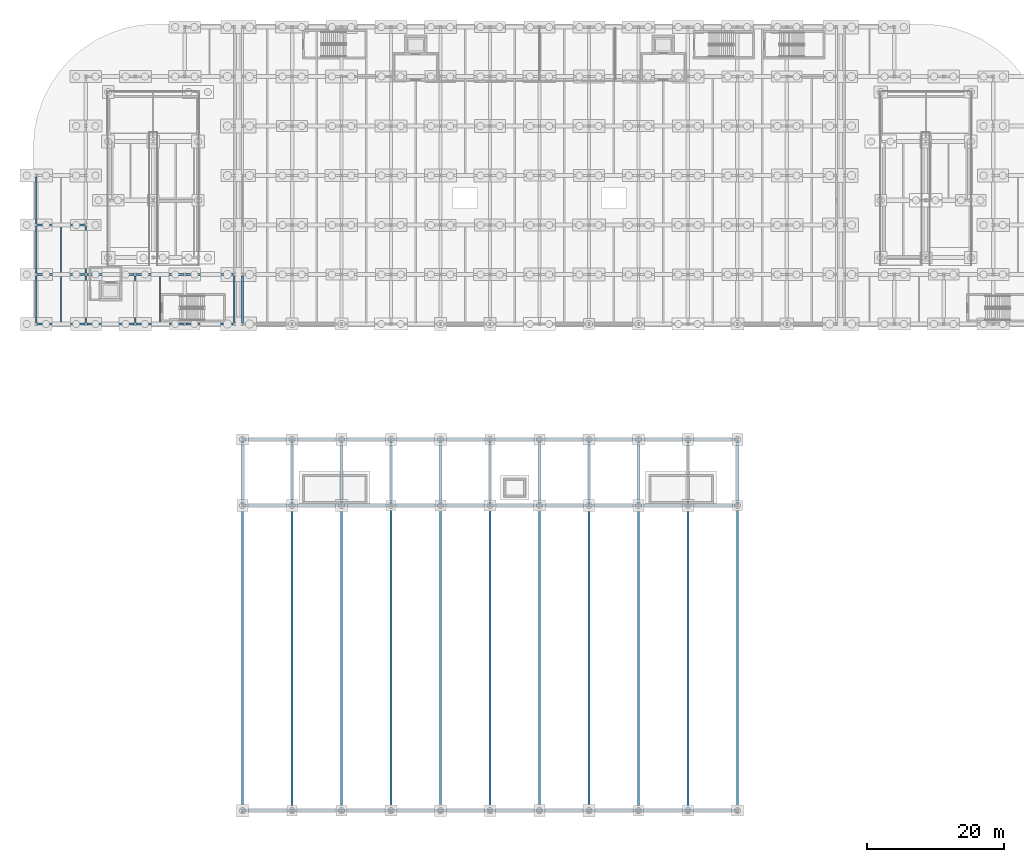
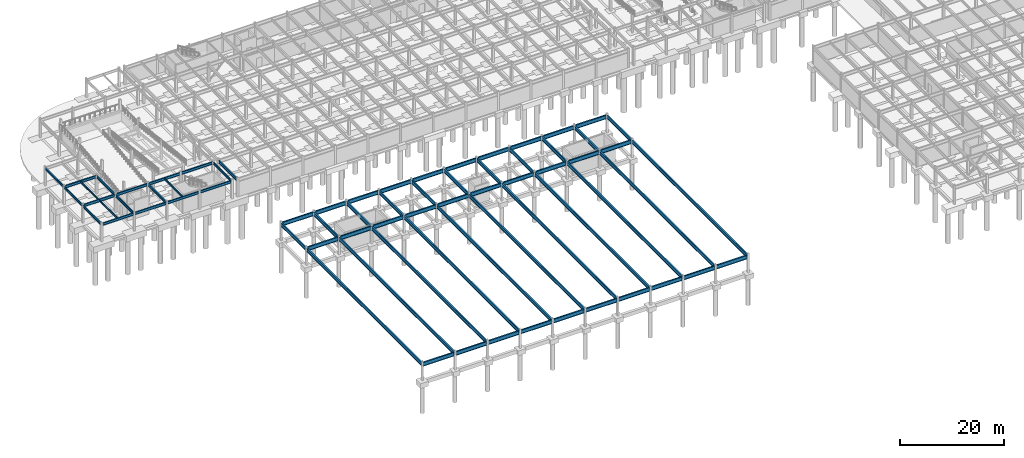
# One storey, part 28 of 54: 72 beams.
"""IFC4 building model written with IfcOpenShell, lengths in metres."""

from ifc_helpers import new_model, si_unit, direction, frame, origin, origin_2d, place, context, subcontext, project, spatial, i_section, extrude, material, material_profile, profile_set, type_object, element, save


model = new_model("IFC4")

# Units and contexts
model_context = context("Model", 3, precision=1e-05, world=origin(), true_north=direction((0.0, 1.0)))
body_context = subcontext(model_context, "Body", "Model", "MODEL_VIEW")
ifc_project = project(units=[si_unit("LENGTHUNIT", "METRE"), si_unit("AREAUNIT", "SQUARE_METRE"), si_unit("VOLUMEUNIT", "CUBIC_METRE"), si_unit("PLANEANGLEUNIT", "RADIAN"), si_unit("MASSUNIT", "GRAM", prefix="KILO")], contexts=[model_context])

# Site, building, storey
site_placement = place(None, origin())
site = spatial("IfcSite", under=ifc_project, at=site_placement, CompositionType="ELEMENT")
building_placement = place(site_placement, origin())
building = spatial("IfcBuilding", under=site, at=building_placement, Name="Vaelcorin Mobility Hub", CompositionType="ELEMENT")
storey_placement = place(building_placement, frame((0.0, 0.0, -4.5)))
storey = spatial("IfcBuildingStorey", under=building, at=storey_placement, Name="B1", CompositionType="ELEMENT", Elevation=-4.5)

# Beams
ifc_material = material(Name="Steel ASTM A992 Grade 50", Category="steel")
ifc_material_profile_1 = material_profile(ifc_material, i_section(OverallWidth=0.152099609375, OverallDepth=0.455078125, WebThickness=0.008056640625, FlangeThickness=0.01318359375, FilletRadius=0.012939453125, at=origin_2d()), Name="W18X40")
ifc_profile_set_1 = profile_set([ifc_material_profile_1], Name="Steel ASTM A992 Grade 50")
beam_type_1 = type_object("IfcBeamType", Name="BM-W18X40", PredefinedType="JOIST", material=ifc_profile_set_1)
for number, where, z_axis, x_axis, name in (
    (1, (9.60009765625, 76.912109375, 4.02197265625), (0.0, 1.0, 0.0), (-1.0, 0.0, 0.0), "B1 Beam V2W-B1-J-01-01-1"),
    (2, (9.60009765625, 84.112060546875, 4.02197265625), (0.0, 1.0, 0.0), (-1.0, 0.0, 0.0), "B1 Beam V2W-B1-J-01-02-1"),
    (3, (24.0, 76.912109375, 4.02197265625), (0.0, 1.0, 0.0), (-1.0, 0.0, 0.0), "B1 Beam V2W-B1-J-03-01-1"),
):
    element("IfcBeam", number, at=place(storey_placement, frame(where, z_axis=z_axis, x_axis=x_axis)), inside=storey, type_object=beam_type_1, Name=name, PredefinedType="JOIST", context=body_context, shape_type="SweptSolid", body=[
        extrude(i_section(OverallWidth=0.152099609375, OverallDepth=0.455078125, WebThickness=0.008056640625, FlangeThickness=0.01318359375, FilletRadius=0.012939453125, at=origin_2d()), origin(), (0.0, 0.0, 1.0), 6.975830078125),
    ])
ifc_material_profile_2 = material_profile(ifc_material, i_section(OverallWidth=0.2099609375, OverallDepth=0.535888671875, WebThickness=0.010986328125, FlangeThickness=0.017333984375, FilletRadius=0.013916015625, at=origin_2d()), Name="W21X68")
ifc_profile_set_2 = profile_set([ifc_material_profile_2], Name="Steel ASTM A992 Grade 50")
beam_type_2 = type_object("IfcBeamType", Name="BM-W21X68", PredefinedType="SPANDREL", material=ifc_profile_set_2)
for number, where, z_axis, x_axis, name in (
    (4, (6.0, 76.9951171875, 3.98193359375), (0.0, 1.0, 0.0), (-1.0, 0.0, 0.0), "B1 Beam V2W-B1-GY-01-01"),
    (5, (6.0, 84.195068359375, 3.98193359375), (0.0, 1.0, 0.0), (-1.0, 0.0, 0.0), "B1 Beam V2W-B1-GY-01-02"),
):
    element("IfcBeam", number, at=place(storey_placement, frame(where, z_axis=z_axis, x_axis=x_axis)), inside=storey, type_object=beam_type_2, Name=name, PredefinedType="SPANDREL", context=body_context, shape_type="SweptSolid", body=[
        extrude(i_section(OverallWidth=0.2099609375, OverallDepth=0.535888671875, WebThickness=0.010986328125, FlangeThickness=0.017333984375, FilletRadius=0.013916015625, at=origin_2d()), origin(), (0.0, 0.0, 1.0), 6.809814453125),
    ])
beam_1_placement = place(storey_placement, frame((6.0, 91.39501953125, 3.98193359375), z_axis=(0.0, 1.0, 0.0), x_axis=(-1.0, 0.0, 0.0)))
element("IfcBeam", 6, at=beam_1_placement, inside=storey, type_object=beam_type_2, Name="B1 Beam V2W-B1-GY-01-03", PredefinedType="SPANDREL", context=body_context, shape_type="SweptSolid", body=[
    extrude(i_section(OverallWidth=0.2099609375, OverallDepth=0.535888671875, WebThickness=0.010986328125, FlangeThickness=0.017333984375, FilletRadius=0.013916015625, at=origin_2d()), origin(), (0.0, 0.0, 1.0), 6.81005859375),
])
beam_2_placement = place(storey_placement, frame((34.800048828125, 76.9951171875, 3.98193359375), z_axis=(0.0, 1.0, 0.0), x_axis=(-1.0, 0.0, 0.0)))
element("IfcBeam", 7, at=beam_2_placement, inside=storey, type_object=beam_type_2, Name="B1 Beam V2W-B1-GY-05-01", PredefinedType="SPANDREL", context=body_context, shape_type="SweptSolid", body=[
    extrude(i_section(OverallWidth=0.2099609375, OverallDepth=0.535888671875, WebThickness=0.010986328125, FlangeThickness=0.017333984375, FilletRadius=0.013916015625, at=origin_2d()), origin(), (0.0, 0.0, 1.0), 6.809814453125),
])
ifc_material_profile_3 = material_profile(ifc_material, i_section(OverallWidth=0.22802734375, OverallDepth=0.60205078125, WebThickness=0.010498046875, FlangeThickness=0.014892578125, FilletRadius=0.014892578125, at=origin_2d()), Name="W24X68")
ifc_profile_set_3 = profile_set([ifc_material_profile_3], Name="Steel ASTM A992 Grade 50")
beam_type_3 = type_object("IfcBeamType", Name="BM-W24X68", PredefinedType="SPANDREL", material=ifc_profile_set_3)
beam_3_placement = place(storey_placement, frame((6.197998046875, 76.800048828125, 3.948974609375), z_axis=(1.0, 0.0, 0.0), x_axis=(0.0, 1.0, 0.0)))
element("IfcBeam", 8, at=beam_3_placement, inside=storey, type_object=beam_type_3, Name="B1 Beam V2W-B1-GX-01-01", PredefinedType="SPANDREL", context=body_context, shape_type="SweptSolid", body=[
    extrude(i_section(OverallWidth=0.22802734375, OverallDepth=0.60205078125, WebThickness=0.010498046875, FlangeThickness=0.014892578125, FilletRadius=0.014892578125, at=origin_2d()), origin(), (0.0, 0.0, 1.0), 6.803955078125),
])
beam_4_placement = place(storey_placement, frame((13.39697265625, 76.800048828125, 3.948974609375), z_axis=(1.0, 0.0, 0.0), x_axis=(0.0, 1.0, 0.0)))
element("IfcBeam", 9, at=beam_4_placement, inside=storey, type_object=beam_type_3, Name="B1 Beam V2W-B1-GX-01-02", PredefinedType="SPANDREL", context=body_context, shape_type="SweptSolid", body=[
    extrude(i_section(OverallWidth=0.22802734375, OverallDepth=0.60205078125, WebThickness=0.010498046875, FlangeThickness=0.014892578125, FilletRadius=0.014892578125, at=origin_2d()), origin(), (0.0, 0.0, 1.0), 6.804931640625),
])
beam_5_placement = place(storey_placement, frame((20.597900390625, 76.800048828125, 3.948974609375), z_axis=(1.0, 0.0, 0.0), x_axis=(0.0, 1.0, 0.0)))
element("IfcBeam", 10, at=beam_5_placement, inside=storey, type_object=beam_type_3, Name="B1 Beam V2W-B1-GX-01-03", PredefinedType="SPANDREL", context=body_context, shape_type="SweptSolid", body=[
    extrude(i_section(OverallWidth=0.22802734375, OverallDepth=0.60205078125, WebThickness=0.010498046875, FlangeThickness=0.014892578125, FilletRadius=0.014892578125, at=origin_2d()), origin(), (0.0, 0.0, 1.0), 6.80419921875),
])
beam_6_placement = place(storey_placement, frame((27.798095703125, 76.800048828125, 3.948974609375), z_axis=(1.0, 0.0, 0.0), x_axis=(0.0, 1.0, 0.0)))
element("IfcBeam", 11, at=beam_6_placement, inside=storey, type_object=beam_type_3, Name="B1 Beam V2W-B1-GX-01-04", PredefinedType="SPANDREL", context=body_context, shape_type="SweptSolid", body=[
    extrude(i_section(OverallWidth=0.22802734375, OverallDepth=0.60205078125, WebThickness=0.010498046875, FlangeThickness=0.014892578125, FilletRadius=0.014892578125, at=origin_2d()), origin(), (0.0, 0.0, 1.0), 6.803955078125),
])
ifc_material_profile_4 = material_profile(ifc_material, i_section(OverallWidth=0.22900390625, OverallDepth=0.612060546875, WebThickness=0.011962890625, FlangeThickness=0.01953125, FilletRadius=0.014892578125, at=origin_2d()), Name="W24X84")
ifc_profile_set_4 = profile_set([ifc_material_profile_4], Name="Steel ASTM A992 Grade 50")
beam_type_4 = type_object("IfcBeamType", Name="BM-W24X84", PredefinedType="BEAM", material=ifc_profile_set_4)
beam_7_placement = place(storey_placement, frame((6.197998046875, 84.0, 3.944091796875), z_axis=(1.0, 0.0, 0.0), x_axis=(0.0, 1.0, 0.0)))
element("IfcBeam", 12, at=beam_7_placement, inside=storey, type_object=beam_type_4, Name="B1 Beam V2W-B1-GX-02-01", PredefinedType="BEAM", context=body_context, shape_type="SweptSolid", body=[
    extrude(i_section(OverallWidth=0.22900390625, OverallDepth=0.612060546875, WebThickness=0.011962890625, FlangeThickness=0.01953125, FilletRadius=0.014892578125, at=origin_2d()), origin(), (0.0, 0.0, 1.0), 6.803955078125),
])
beam_8_placement = place(storey_placement, frame((13.39697265625, 84.0, 3.944091796875), z_axis=(1.0, 0.0, 0.0), x_axis=(0.0, 1.0, 0.0)))
element("IfcBeam", 13, at=beam_8_placement, inside=storey, type_object=beam_type_4, Name="B1 Beam V2W-B1-GX-02-02", PredefinedType="BEAM", context=body_context, shape_type="SweptSolid", body=[
    extrude(i_section(OverallWidth=0.22900390625, OverallDepth=0.612060546875, WebThickness=0.011962890625, FlangeThickness=0.01953125, FilletRadius=0.014892578125, at=origin_2d()), origin(), (0.0, 0.0, 1.0), 6.804931640625),
])
beam_9_placement = place(storey_placement, frame((20.597900390625, 84.0, 3.944091796875), z_axis=(1.0, 0.0, 0.0), x_axis=(0.0, 1.0, 0.0)))
element("IfcBeam", 14, at=beam_9_placement, inside=storey, type_object=beam_type_4, Name="B1 Beam V2W-B1-GX-02-03", PredefinedType="BEAM", context=body_context, shape_type="SweptSolid", body=[
    extrude(i_section(OverallWidth=0.22900390625, OverallDepth=0.612060546875, WebThickness=0.011962890625, FlangeThickness=0.01953125, FilletRadius=0.014892578125, at=origin_2d()), origin(), (0.0, 0.0, 1.0), 6.80419921875),
])
for number, where, z_axis, x_axis, name in (
    (15, (27.798095703125, 84.0, 3.944091796875), (1.0, 0.0, 0.0), (0.0, 1.0, 0.0), "B1 Beam V2W-B1-GX-02-04"),
    (16, (6.197998046875, 91.199951171875, 3.944091796875), (1.0, 0.0, 0.0), (0.0, 1.0, 0.0), "B1 Beam V2W-B1-GX-03-01"),
):
    element("IfcBeam", number, at=place(storey_placement, frame(where, z_axis=z_axis, x_axis=x_axis)), inside=storey, type_object=beam_type_4, Name=name, PredefinedType="BEAM", context=body_context, shape_type="SweptSolid", body=[
        extrude(i_section(OverallWidth=0.22900390625, OverallDepth=0.612060546875, WebThickness=0.011962890625, FlangeThickness=0.01953125, FilletRadius=0.014892578125, at=origin_2d()), origin(), (0.0, 0.0, 1.0), 6.803955078125),
    ])
for number, where, z_axis, x_axis, name in (
    (17, (13.199951171875, 76.9951171875, 3.944091796875), (0.0, 1.0, 0.0), (-1.0, 0.0, 0.0), "B1 Beam V2W-B1-GY-02-01"),
    (18, (13.199951171875, 84.195068359375, 3.944091796875), (0.0, 1.0, 0.0), (-1.0, 0.0, 0.0), "B1 Beam V2W-B1-GY-02-02"),
    (19, (20.39990234375, 76.9951171875, 3.944091796875), (0.0, 1.0, 0.0), (-1.0, 0.0, 0.0), "B1 Beam V2W-B1-GY-03-01"),
):
    element("IfcBeam", number, at=place(storey_placement, frame(where, z_axis=z_axis, x_axis=x_axis)), inside=storey, type_object=beam_type_4, Name=name, PredefinedType="BEAM", context=body_context, shape_type="SweptSolid", body=[
        extrude(i_section(OverallWidth=0.22900390625, OverallDepth=0.612060546875, WebThickness=0.011962890625, FlangeThickness=0.01953125, FilletRadius=0.014892578125, at=origin_2d()), origin(), (0.0, 0.0, 1.0), 6.809814453125),
    ])
ifc_material_profile_5 = material_profile(ifc_material, i_section(OverallWidth=0.25390625, OverallDepth=0.68310546875, WebThickness=0.012451171875, FlangeThickness=0.018798828125, FilletRadius=0.01611328125, at=origin_2d()), Name="W27X94")
ifc_profile_set_5 = profile_set([ifc_material_profile_5], Name="Steel ASTM A992 Grade 50")
beam_type_5 = type_object("IfcBeamType", Name="BM-W27X94", PredefinedType="BEAM", material=ifc_profile_set_5)
beam_10_placement = place(storey_placement, frame((36.0, 77.0009765625, 3.8779296875), z_axis=(0.0, 1.0, 0.0), x_axis=(-1.0, 0.0, 0.0)))
element("IfcBeam", 20, at=beam_10_placement, inside=storey, type_object=beam_type_5, Name="B1 Beam V4-B1-GY-01-01", PredefinedType="BEAM", context=body_context, shape_type="SweptSolid", body=[
    extrude(i_section(OverallWidth=0.25390625, OverallDepth=0.68310546875, WebThickness=0.012451171875, FlangeThickness=0.018798828125, FilletRadius=0.01611328125, at=origin_2d()), origin(), (0.0, 0.0, 1.0), 6.7890625),
])
ifc_material_profile_6 = material_profile(ifc_material, i_section(OverallWidth=0.2919921875, OverallDepth=0.841064453125, WebThickness=0.0146484375, FlangeThickness=0.021728515625, FilletRadius=0.01806640625, at=origin_2d()), Name="W33X130")
ifc_profile_set_6 = profile_set([ifc_material_profile_6], Name="Steel ASTM A992 Grade 50")
beam_type_6 = type_object("IfcBeamType", Name="BM-W33X130", PredefinedType="BEAM", material=ifc_profile_set_6)
beam_11_placement = place(storey_placement, frame((36.0, 6.2099609375, 3.72998046875), z_axis=(0.0, 1.0, 0.0), x_axis=(-1.0, 0.0, 0.0)))
element("IfcBeam", 21, at=beam_11_placement, inside=storey, type_object=beam_type_6, Name="B1 Beam V1G-B1-GY-01-01", PredefinedType="BEAM", context=body_context, shape_type="SweptSolid", body=[
    extrude(i_section(OverallWidth=0.2919921875, OverallDepth=0.841064453125, WebThickness=0.0146484375, FlangeThickness=0.021728515625, FilletRadius=0.01806640625, at=origin_2d()), origin(), (0.0, 0.0, 1.0), 43.97998046875),
])
beam_12_placement = place(storey_placement, frame((36.0, 50.610107421875, 3.72998046875), z_axis=(0.0, 1.0, 0.0), x_axis=(-1.0, 0.0, 0.0)))
element("IfcBeam", 22, at=beam_12_placement, inside=storey, type_object=beam_type_6, Name="B1 Beam V1G-B1-GY-01-02", PredefinedType="BEAM", context=body_context, shape_type="SweptSolid", body=[
    extrude(i_section(OverallWidth=0.2919921875, OverallDepth=0.841064453125, WebThickness=0.0146484375, FlangeThickness=0.021728515625, FilletRadius=0.01806640625, at=origin_2d()), origin(), (0.0, 0.0, 1.0), 9.179931640625),
])
beam_13_placement = place(storey_placement, frame((43.199951171875, 6.2099609375, 3.72998046875), z_axis=(0.0, 1.0, 0.0), x_axis=(-1.0, 0.0, 0.0)))
element("IfcBeam", 23, at=beam_13_placement, inside=storey, type_object=beam_type_6, Name="B1 Beam V1G-B1-GY-02-01", PredefinedType="BEAM", context=body_context, shape_type="SweptSolid", body=[
    extrude(i_section(OverallWidth=0.2919921875, OverallDepth=0.841064453125, WebThickness=0.0146484375, FlangeThickness=0.021728515625, FilletRadius=0.01806640625, at=origin_2d()), origin(), (0.0, 0.0, 1.0), 43.97998046875),
])
beam_14_placement = place(storey_placement, frame((43.199951171875, 50.610107421875, 3.72998046875), z_axis=(0.0, 1.0, 0.0), x_axis=(-1.0, 0.0, 0.0)))
element("IfcBeam", 24, at=beam_14_placement, inside=storey, type_object=beam_type_6, Name="B1 Beam V1G-B1-GY-02-02", PredefinedType="BEAM", context=body_context, shape_type="SweptSolid", body=[
    extrude(i_section(OverallWidth=0.2919921875, OverallDepth=0.841064453125, WebThickness=0.0146484375, FlangeThickness=0.021728515625, FilletRadius=0.01806640625, at=origin_2d()), origin(), (0.0, 0.0, 1.0), 9.179931640625),
])
beam_15_placement = place(storey_placement, frame((50.39990234375, 6.2099609375, 3.72998046875), z_axis=(0.0, 1.0, 0.0), x_axis=(-1.0, 0.0, 0.0)))
element("IfcBeam", 25, at=beam_15_placement, inside=storey, type_object=beam_type_6, Name="B1 Beam V1G-B1-GY-03-01", PredefinedType="BEAM", context=body_context, shape_type="SweptSolid", body=[
    extrude(i_section(OverallWidth=0.2919921875, OverallDepth=0.841064453125, WebThickness=0.0146484375, FlangeThickness=0.021728515625, FilletRadius=0.01806640625, at=origin_2d()), origin(), (0.0, 0.0, 1.0), 43.97998046875),
])
beam_16_placement = place(storey_placement, frame((50.39990234375, 50.610107421875, 3.72998046875), z_axis=(0.0, 1.0, 0.0), x_axis=(-1.0, 0.0, 0.0)))
element("IfcBeam", 26, at=beam_16_placement, inside=storey, type_object=beam_type_6, Name="B1 Beam V1G-B1-GY-03-02", PredefinedType="BEAM", context=body_context, shape_type="SweptSolid", body=[
    extrude(i_section(OverallWidth=0.2919921875, OverallDepth=0.841064453125, WebThickness=0.0146484375, FlangeThickness=0.021728515625, FilletRadius=0.01806640625, at=origin_2d()), origin(), (0.0, 0.0, 1.0), 9.179931640625),
])
beam_17_placement = place(storey_placement, frame((57.60009765625, 6.2099609375, 3.72998046875), z_axis=(0.0, 1.0, 0.0), x_axis=(-1.0, 0.0, 0.0)))
element("IfcBeam", 27, at=beam_17_placement, inside=storey, type_object=beam_type_6, Name="B1 Beam V1G-B1-GY-04-01", PredefinedType="BEAM", context=body_context, shape_type="SweptSolid", body=[
    extrude(i_section(OverallWidth=0.2919921875, OverallDepth=0.841064453125, WebThickness=0.0146484375, FlangeThickness=0.021728515625, FilletRadius=0.01806640625, at=origin_2d()), origin(), (0.0, 0.0, 1.0), 43.97998046875),
])
beam_18_placement = place(storey_placement, frame((57.60009765625, 50.610107421875, 3.72998046875), z_axis=(0.0, 1.0, 0.0), x_axis=(-1.0, 0.0, 0.0)))
element("IfcBeam", 28, at=beam_18_placement, inside=storey, type_object=beam_type_6, Name="B1 Beam V1G-B1-GY-04-02", PredefinedType="BEAM", context=body_context, shape_type="SweptSolid", body=[
    extrude(i_section(OverallWidth=0.2919921875, OverallDepth=0.841064453125, WebThickness=0.0146484375, FlangeThickness=0.021728515625, FilletRadius=0.01806640625, at=origin_2d()), origin(), (0.0, 0.0, 1.0), 9.179931640625),
])
beam_19_placement = place(storey_placement, frame((64.800048828125, 6.2099609375, 3.72998046875), z_axis=(0.0, 1.0, 0.0), x_axis=(-1.0, 0.0, 0.0)))
element("IfcBeam", 29, at=beam_19_placement, inside=storey, type_object=beam_type_6, Name="B1 Beam V1G-B1-GY-05-01", PredefinedType="BEAM", context=body_context, shape_type="SweptSolid", body=[
    extrude(i_section(OverallWidth=0.2919921875, OverallDepth=0.841064453125, WebThickness=0.0146484375, FlangeThickness=0.021728515625, FilletRadius=0.01806640625, at=origin_2d()), origin(), (0.0, 0.0, 1.0), 43.97998046875),
])
beam_20_placement = place(storey_placement, frame((64.800048828125, 50.610107421875, 3.72998046875), z_axis=(0.0, 1.0, 0.0), x_axis=(-1.0, 0.0, 0.0)))
element("IfcBeam", 30, at=beam_20_placement, inside=storey, type_object=beam_type_6, Name="B1 Beam V1G-B1-GY-05-02", PredefinedType="BEAM", context=body_context, shape_type="SweptSolid", body=[
    extrude(i_section(OverallWidth=0.2919921875, OverallDepth=0.841064453125, WebThickness=0.0146484375, FlangeThickness=0.021728515625, FilletRadius=0.01806640625, at=origin_2d()), origin(), (0.0, 0.0, 1.0), 9.179931640625),
])
beam_21_placement = place(storey_placement, frame((72.0, 6.2099609375, 3.72998046875), z_axis=(0.0, 1.0, 0.0), x_axis=(-1.0, 0.0, 0.0)))
element("IfcBeam", 31, at=beam_21_placement, inside=storey, type_object=beam_type_6, Name="B1 Beam V1G-B1-GY-06-01", PredefinedType="BEAM", context=body_context, shape_type="SweptSolid", body=[
    extrude(i_section(OverallWidth=0.2919921875, OverallDepth=0.841064453125, WebThickness=0.0146484375, FlangeThickness=0.021728515625, FilletRadius=0.01806640625, at=origin_2d()), origin(), (0.0, 0.0, 1.0), 43.97998046875),
])
beam_22_placement = place(storey_placement, frame((72.0, 50.610107421875, 3.72998046875), z_axis=(0.0, 1.0, 0.0), x_axis=(-1.0, 0.0, 0.0)))
element("IfcBeam", 32, at=beam_22_placement, inside=storey, type_object=beam_type_6, Name="B1 Beam V1G-B1-GY-06-02", PredefinedType="BEAM", context=body_context, shape_type="SweptSolid", body=[
    extrude(i_section(OverallWidth=0.2919921875, OverallDepth=0.841064453125, WebThickness=0.0146484375, FlangeThickness=0.021728515625, FilletRadius=0.01806640625, at=origin_2d()), origin(), (0.0, 0.0, 1.0), 9.179931640625),
])
beam_23_placement = place(storey_placement, frame((79.199951171875, 6.2099609375, 3.72998046875), z_axis=(0.0, 1.0, 0.0), x_axis=(-1.0, 0.0, 0.0)))
element("IfcBeam", 33, at=beam_23_placement, inside=storey, type_object=beam_type_6, Name="B1 Beam V1G-B1-GY-07-01", PredefinedType="BEAM", context=body_context, shape_type="SweptSolid", body=[
    extrude(i_section(OverallWidth=0.2919921875, OverallDepth=0.841064453125, WebThickness=0.0146484375, FlangeThickness=0.021728515625, FilletRadius=0.01806640625, at=origin_2d()), origin(), (0.0, 0.0, 1.0), 43.97998046875),
])
beam_24_placement = place(storey_placement, frame((79.199951171875, 50.610107421875, 3.72998046875), z_axis=(0.0, 1.0, 0.0), x_axis=(-1.0, 0.0, 0.0)))
element("IfcBeam", 34, at=beam_24_placement, inside=storey, type_object=beam_type_6, Name="B1 Beam V1G-B1-GY-07-02", PredefinedType="BEAM", context=body_context, shape_type="SweptSolid", body=[
    extrude(i_section(OverallWidth=0.2919921875, OverallDepth=0.841064453125, WebThickness=0.0146484375, FlangeThickness=0.021728515625, FilletRadius=0.01806640625, at=origin_2d()), origin(), (0.0, 0.0, 1.0), 9.179931640625),
])
beam_25_placement = place(storey_placement, frame((86.39990234375, 6.2099609375, 3.72998046875), z_axis=(0.0, 1.0, 0.0), x_axis=(-1.0, 0.0, 0.0)))
element("IfcBeam", 35, at=beam_25_placement, inside=storey, type_object=beam_type_6, Name="B1 Beam V1G-B1-GY-08-01", PredefinedType="BEAM", context=body_context, shape_type="SweptSolid", body=[
    extrude(i_section(OverallWidth=0.2919921875, OverallDepth=0.841064453125, WebThickness=0.0146484375, FlangeThickness=0.021728515625, FilletRadius=0.01806640625, at=origin_2d()), origin(), (0.0, 0.0, 1.0), 43.97998046875),
])
beam_26_placement = place(storey_placement, frame((86.39990234375, 50.610107421875, 3.72998046875), z_axis=(0.0, 1.0, 0.0), x_axis=(-1.0, 0.0, 0.0)))
element("IfcBeam", 36, at=beam_26_placement, inside=storey, type_object=beam_type_6, Name="B1 Beam V1G-B1-GY-08-02", PredefinedType="BEAM", context=body_context, shape_type="SweptSolid", body=[
    extrude(i_section(OverallWidth=0.2919921875, OverallDepth=0.841064453125, WebThickness=0.0146484375, FlangeThickness=0.021728515625, FilletRadius=0.01806640625, at=origin_2d()), origin(), (0.0, 0.0, 1.0), 9.179931640625),
])
beam_27_placement = place(storey_placement, frame((93.60009765625, 6.2099609375, 3.72998046875), z_axis=(0.0, 1.0, 0.0), x_axis=(-1.0, 0.0, 0.0)))
element("IfcBeam", 37, at=beam_27_placement, inside=storey, type_object=beam_type_6, Name="B1 Beam V1G-B1-GY-09-01", PredefinedType="BEAM", context=body_context, shape_type="SweptSolid", body=[
    extrude(i_section(OverallWidth=0.2919921875, OverallDepth=0.841064453125, WebThickness=0.0146484375, FlangeThickness=0.021728515625, FilletRadius=0.01806640625, at=origin_2d()), origin(), (0.0, 0.0, 1.0), 43.97998046875),
])
beam_28_placement = place(storey_placement, frame((93.60009765625, 50.610107421875, 3.72998046875), z_axis=(0.0, 1.0, 0.0), x_axis=(-1.0, 0.0, 0.0)))
element("IfcBeam", 38, at=beam_28_placement, inside=storey, type_object=beam_type_6, Name="B1 Beam V1G-B1-GY-09-02", PredefinedType="BEAM", context=body_context, shape_type="SweptSolid", body=[
    extrude(i_section(OverallWidth=0.2919921875, OverallDepth=0.841064453125, WebThickness=0.0146484375, FlangeThickness=0.021728515625, FilletRadius=0.01806640625, at=origin_2d()), origin(), (0.0, 0.0, 1.0), 9.179931640625),
])
beam_29_placement = place(storey_placement, frame((100.800048828125, 6.2099609375, 3.72998046875), z_axis=(0.0, 1.0, 0.0), x_axis=(-1.0, 0.0, 0.0)))
element("IfcBeam", 39, at=beam_29_placement, inside=storey, type_object=beam_type_6, Name="B1 Beam V1G-B1-GY-10-01", PredefinedType="BEAM", context=body_context, shape_type="SweptSolid", body=[
    extrude(i_section(OverallWidth=0.2919921875, OverallDepth=0.841064453125, WebThickness=0.0146484375, FlangeThickness=0.021728515625, FilletRadius=0.01806640625, at=origin_2d()), origin(), (0.0, 0.0, 1.0), 43.97998046875),
])
beam_30_placement = place(storey_placement, frame((100.800048828125, 50.610107421875, 3.72998046875), z_axis=(0.0, 1.0, 0.0), x_axis=(-1.0, 0.0, 0.0)))
element("IfcBeam", 40, at=beam_30_placement, inside=storey, type_object=beam_type_6, Name="B1 Beam V1G-B1-GY-10-02", PredefinedType="BEAM", context=body_context, shape_type="SweptSolid", body=[
    extrude(i_section(OverallWidth=0.2919921875, OverallDepth=0.841064453125, WebThickness=0.0146484375, FlangeThickness=0.021728515625, FilletRadius=0.01806640625, at=origin_2d()), origin(), (0.0, 0.0, 1.0), 9.179931640625),
])
beam_31_placement = place(storey_placement, frame((108.0, 6.2099609375, 3.72998046875), z_axis=(0.0, 1.0, 0.0), x_axis=(-1.0, 0.0, 0.0)))
element("IfcBeam", 41, at=beam_31_placement, inside=storey, type_object=beam_type_6, Name="B1 Beam V1G-B1-GY-11-01", PredefinedType="BEAM", context=body_context, shape_type="SweptSolid", body=[
    extrude(i_section(OverallWidth=0.2919921875, OverallDepth=0.841064453125, WebThickness=0.0146484375, FlangeThickness=0.021728515625, FilletRadius=0.01806640625, at=origin_2d()), origin(), (0.0, 0.0, 1.0), 43.97998046875),
])
beam_32_placement = place(storey_placement, frame((108.0, 50.610107421875, 3.72998046875), z_axis=(0.0, 1.0, 0.0), x_axis=(-1.0, 0.0, 0.0)))
element("IfcBeam", 42, at=beam_32_placement, inside=storey, type_object=beam_type_6, Name="B1 Beam V1G-B1-GY-11-02", PredefinedType="BEAM", context=body_context, shape_type="SweptSolid", body=[
    extrude(i_section(OverallWidth=0.2919921875, OverallDepth=0.841064453125, WebThickness=0.0146484375, FlangeThickness=0.021728515625, FilletRadius=0.01806640625, at=origin_2d()), origin(), (0.0, 0.0, 1.0), 9.179931640625),
])
ifc_material_profile_7 = material_profile(ifc_material, i_section(OverallWidth=0.304931640625, OverallDepth=0.9140625, WebThickness=0.0166015625, FlangeThickness=0.02587890625, FilletRadius=0.02001953125, at=origin_2d()), Name="W36X160")
ifc_profile_set_7 = profile_set([ifc_material_profile_7], Name="Steel ASTM A992 Grade 50")
beam_type_7 = type_object("IfcBeamType", Name="BM-W36X160", PredefinedType="BEAM", material=ifc_profile_set_7)
beam_33_placement = place(storey_placement, frame((36.201904296875, 6.0, 3.693115234375), z_axis=(1.0, 0.0, 0.0), x_axis=(0.0, 1.0, 0.0)))
element("IfcBeam", 43, at=beam_33_placement, inside=storey, type_object=beam_type_7, Name="B1 Beam V1G-B1-GX-01-01", PredefinedType="BEAM", context=body_context, shape_type="SweptSolid", body=[
    extrude(i_section(OverallWidth=0.304931640625, OverallDepth=0.9140625, WebThickness=0.0166015625, FlangeThickness=0.02587890625, FilletRadius=0.02001953125, at=origin_2d()), origin(), (0.0, 0.0, 1.0), 6.796142578125),
])
for number, where, z_axis, x_axis, name in (
    (44, (43.402099609375, 6.0, 3.693115234375), (1.0, 0.0, 0.0), (0.0, 1.0, 0.0), "B1 Beam V1G-B1-GX-01-02"),
    (45, (50.60205078125, 6.0, 3.693115234375), (1.0, 0.0, 0.0), (0.0, 1.0, 0.0), "B1 Beam V1G-B1-GX-01-03"),
    (46, (57.802001953125, 6.0, 3.693115234375), (1.0, 0.0, 0.0), (0.0, 1.0, 0.0), "B1 Beam V1G-B1-GX-01-04"),
):
    element("IfcBeam", number, at=place(storey_placement, frame(where, z_axis=z_axis, x_axis=x_axis)), inside=storey, type_object=beam_type_7, Name=name, PredefinedType="BEAM", context=body_context, shape_type="SweptSolid", body=[
        extrude(i_section(OverallWidth=0.304931640625, OverallDepth=0.9140625, WebThickness=0.0166015625, FlangeThickness=0.02587890625, FilletRadius=0.02001953125, at=origin_2d()), origin(), (0.0, 0.0, 1.0), 6.7958984375),
    ])
for number, where, z_axis, x_axis, name in (
    (47, (65.001953125, 6.0, 3.693115234375), (1.0, 0.0, 0.0), (0.0, 1.0, 0.0), "B1 Beam V1G-B1-GX-01-05"),
    (48, (72.201904296875, 6.0, 3.693115234375), (1.0, 0.0, 0.0), (0.0, 1.0, 0.0), "B1 Beam V1G-B1-GX-01-06"),
):
    element("IfcBeam", number, at=place(storey_placement, frame(where, z_axis=z_axis, x_axis=x_axis)), inside=storey, type_object=beam_type_7, Name=name, PredefinedType="BEAM", context=body_context, shape_type="SweptSolid", body=[
        extrude(i_section(OverallWidth=0.304931640625, OverallDepth=0.9140625, WebThickness=0.0166015625, FlangeThickness=0.02587890625, FilletRadius=0.02001953125, at=origin_2d()), origin(), (0.0, 0.0, 1.0), 6.796142578125),
    ])
for number, where, z_axis, x_axis, name in (
    (49, (79.402099609375, 6.0, 3.693115234375), (1.0, 0.0, 0.0), (0.0, 1.0, 0.0), "B1 Beam V1G-B1-GX-01-07"),
    (50, (86.60205078125, 6.0, 3.693115234375), (1.0, 0.0, 0.0), (0.0, 1.0, 0.0), "B1 Beam V1G-B1-GX-01-08"),
    (51, (93.802001953125, 6.0, 3.693115234375), (1.0, 0.0, 0.0), (0.0, 1.0, 0.0), "B1 Beam V1G-B1-GX-01-09"),
):
    element("IfcBeam", number, at=place(storey_placement, frame(where, z_axis=z_axis, x_axis=x_axis)), inside=storey, type_object=beam_type_7, Name=name, PredefinedType="BEAM", context=body_context, shape_type="SweptSolid", body=[
        extrude(i_section(OverallWidth=0.304931640625, OverallDepth=0.9140625, WebThickness=0.0166015625, FlangeThickness=0.02587890625, FilletRadius=0.02001953125, at=origin_2d()), origin(), (0.0, 0.0, 1.0), 6.7958984375),
    ])
for number, where, z_axis, x_axis, name in (
    (52, (101.001953125, 6.0, 3.693115234375), (1.0, 0.0, 0.0), (0.0, 1.0, 0.0), "B1 Beam V1G-B1-GX-01-10"),
    (53, (36.201904296875, 50.39990234375, 3.693115234375), (1.0, 0.0, 0.0), (0.0, 1.0, 0.0), "B1 Beam V1G-B1-GX-02-01"),
):
    element("IfcBeam", number, at=place(storey_placement, frame(where, z_axis=z_axis, x_axis=x_axis)), inside=storey, type_object=beam_type_7, Name=name, PredefinedType="BEAM", context=body_context, shape_type="SweptSolid", body=[
        extrude(i_section(OverallWidth=0.304931640625, OverallDepth=0.9140625, WebThickness=0.0166015625, FlangeThickness=0.02587890625, FilletRadius=0.02001953125, at=origin_2d()), origin(), (0.0, 0.0, 1.0), 6.796142578125),
    ])
for number, where, z_axis, x_axis, name in (
    (54, (43.402099609375, 50.39990234375, 3.693115234375), (1.0, 0.0, 0.0), (0.0, 1.0, 0.0), "B1 Beam V1G-B1-GX-02-02"),
    (55, (50.60205078125, 50.39990234375, 3.693115234375), (1.0, 0.0, 0.0), (0.0, 1.0, 0.0), "B1 Beam V1G-B1-GX-02-03"),
    (56, (57.802001953125, 50.39990234375, 3.693115234375), (1.0, 0.0, 0.0), (0.0, 1.0, 0.0), "B1 Beam V1G-B1-GX-02-04"),
):
    element("IfcBeam", number, at=place(storey_placement, frame(where, z_axis=z_axis, x_axis=x_axis)), inside=storey, type_object=beam_type_7, Name=name, PredefinedType="BEAM", context=body_context, shape_type="SweptSolid", body=[
        extrude(i_section(OverallWidth=0.304931640625, OverallDepth=0.9140625, WebThickness=0.0166015625, FlangeThickness=0.02587890625, FilletRadius=0.02001953125, at=origin_2d()), origin(), (0.0, 0.0, 1.0), 6.7958984375),
    ])
for number, where, z_axis, x_axis, name in (
    (57, (65.001953125, 50.39990234375, 3.693115234375), (1.0, 0.0, 0.0), (0.0, 1.0, 0.0), "B1 Beam V1G-B1-GX-02-05"),
    (58, (72.201904296875, 50.39990234375, 3.693115234375), (1.0, 0.0, 0.0), (0.0, 1.0, 0.0), "B1 Beam V1G-B1-GX-02-06"),
):
    element("IfcBeam", number, at=place(storey_placement, frame(where, z_axis=z_axis, x_axis=x_axis)), inside=storey, type_object=beam_type_7, Name=name, PredefinedType="BEAM", context=body_context, shape_type="SweptSolid", body=[
        extrude(i_section(OverallWidth=0.304931640625, OverallDepth=0.9140625, WebThickness=0.0166015625, FlangeThickness=0.02587890625, FilletRadius=0.02001953125, at=origin_2d()), origin(), (0.0, 0.0, 1.0), 6.796142578125),
    ])
for number, where, z_axis, x_axis, name in (
    (59, (79.402099609375, 50.39990234375, 3.693115234375), (1.0, 0.0, 0.0), (0.0, 1.0, 0.0), "B1 Beam V1G-B1-GX-02-07"),
    (60, (86.60205078125, 50.39990234375, 3.693115234375), (1.0, 0.0, 0.0), (0.0, 1.0, 0.0), "B1 Beam V1G-B1-GX-02-08"),
    (61, (93.802001953125, 50.39990234375, 3.693115234375), (1.0, 0.0, 0.0), (0.0, 1.0, 0.0), "B1 Beam V1G-B1-GX-02-09"),
):
    element("IfcBeam", number, at=place(storey_placement, frame(where, z_axis=z_axis, x_axis=x_axis)), inside=storey, type_object=beam_type_7, Name=name, PredefinedType="BEAM", context=body_context, shape_type="SweptSolid", body=[
        extrude(i_section(OverallWidth=0.304931640625, OverallDepth=0.9140625, WebThickness=0.0166015625, FlangeThickness=0.02587890625, FilletRadius=0.02001953125, at=origin_2d()), origin(), (0.0, 0.0, 1.0), 6.7958984375),
    ])
for number, where, z_axis, x_axis, name in (
    (62, (101.001953125, 50.39990234375, 3.693115234375), (1.0, 0.0, 0.0), (0.0, 1.0, 0.0), "B1 Beam V1G-B1-GX-02-10"),
    (63, (36.201904296875, 60.0, 3.693115234375), (1.0, 0.0, 0.0), (0.0, 1.0, 0.0), "B1 Beam V1G-B1-GX-03-01"),
):
    element("IfcBeam", number, at=place(storey_placement, frame(where, z_axis=z_axis, x_axis=x_axis)), inside=storey, type_object=beam_type_7, Name=name, PredefinedType="BEAM", context=body_context, shape_type="SweptSolid", body=[
        extrude(i_section(OverallWidth=0.304931640625, OverallDepth=0.9140625, WebThickness=0.0166015625, FlangeThickness=0.02587890625, FilletRadius=0.02001953125, at=origin_2d()), origin(), (0.0, 0.0, 1.0), 6.796142578125),
    ])
for number, where, z_axis, x_axis, name in (
    (64, (43.402099609375, 60.0, 3.693115234375), (1.0, 0.0, 0.0), (0.0, 1.0, 0.0), "B1 Beam V1G-B1-GX-03-02"),
    (65, (50.60205078125, 60.0, 3.693115234375), (1.0, 0.0, 0.0), (0.0, 1.0, 0.0), "B1 Beam V1G-B1-GX-03-03"),
    (66, (57.802001953125, 60.0, 3.693115234375), (1.0, 0.0, 0.0), (0.0, 1.0, 0.0), "B1 Beam V1G-B1-GX-03-04"),
):
    element("IfcBeam", number, at=place(storey_placement, frame(where, z_axis=z_axis, x_axis=x_axis)), inside=storey, type_object=beam_type_7, Name=name, PredefinedType="BEAM", context=body_context, shape_type="SweptSolid", body=[
        extrude(i_section(OverallWidth=0.304931640625, OverallDepth=0.9140625, WebThickness=0.0166015625, FlangeThickness=0.02587890625, FilletRadius=0.02001953125, at=origin_2d()), origin(), (0.0, 0.0, 1.0), 6.7958984375),
    ])
for number, where, z_axis, x_axis, name in (
    (67, (65.001953125, 60.0, 3.693115234375), (1.0, 0.0, 0.0), (0.0, 1.0, 0.0), "B1 Beam V1G-B1-GX-03-05"),
    (68, (72.201904296875, 60.0, 3.693115234375), (1.0, 0.0, 0.0), (0.0, 1.0, 0.0), "B1 Beam V1G-B1-GX-03-06"),
):
    element("IfcBeam", number, at=place(storey_placement, frame(where, z_axis=z_axis, x_axis=x_axis)), inside=storey, type_object=beam_type_7, Name=name, PredefinedType="BEAM", context=body_context, shape_type="SweptSolid", body=[
        extrude(i_section(OverallWidth=0.304931640625, OverallDepth=0.9140625, WebThickness=0.0166015625, FlangeThickness=0.02587890625, FilletRadius=0.02001953125, at=origin_2d()), origin(), (0.0, 0.0, 1.0), 6.796142578125),
    ])
for number, where, z_axis, x_axis, name in (
    (69, (79.402099609375, 60.0, 3.693115234375), (1.0, 0.0, 0.0), (0.0, 1.0, 0.0), "B1 Beam V1G-B1-GX-03-07"),
    (70, (86.60205078125, 60.0, 3.693115234375), (1.0, 0.0, 0.0), (0.0, 1.0, 0.0), "B1 Beam V1G-B1-GX-03-08"),
    (71, (93.802001953125, 60.0, 3.693115234375), (1.0, 0.0, 0.0), (0.0, 1.0, 0.0), "B1 Beam V1G-B1-GX-03-09"),
):
    element("IfcBeam", number, at=place(storey_placement, frame(where, z_axis=z_axis, x_axis=x_axis)), inside=storey, type_object=beam_type_7, Name=name, PredefinedType="BEAM", context=body_context, shape_type="SweptSolid", body=[
        extrude(i_section(OverallWidth=0.304931640625, OverallDepth=0.9140625, WebThickness=0.0166015625, FlangeThickness=0.02587890625, FilletRadius=0.02001953125, at=origin_2d()), origin(), (0.0, 0.0, 1.0), 6.7958984375),
    ])
beam_34_placement = place(storey_placement, frame((101.001953125, 60.0, 3.693115234375), z_axis=(1.0, 0.0, 0.0), x_axis=(0.0, 1.0, 0.0)))
element("IfcBeam", 72, at=beam_34_placement, inside=storey, type_object=beam_type_7, Name="B1 Beam V1G-B1-GX-03-10", PredefinedType="BEAM", context=body_context, shape_type="SweptSolid", body=[
    extrude(i_section(OverallWidth=0.304931640625, OverallDepth=0.9140625, WebThickness=0.0166015625, FlangeThickness=0.02587890625, FilletRadius=0.02001953125, at=origin_2d()), origin(), (0.0, 0.0, 1.0), 6.796142578125),
])

save(model, "model.ifc")
